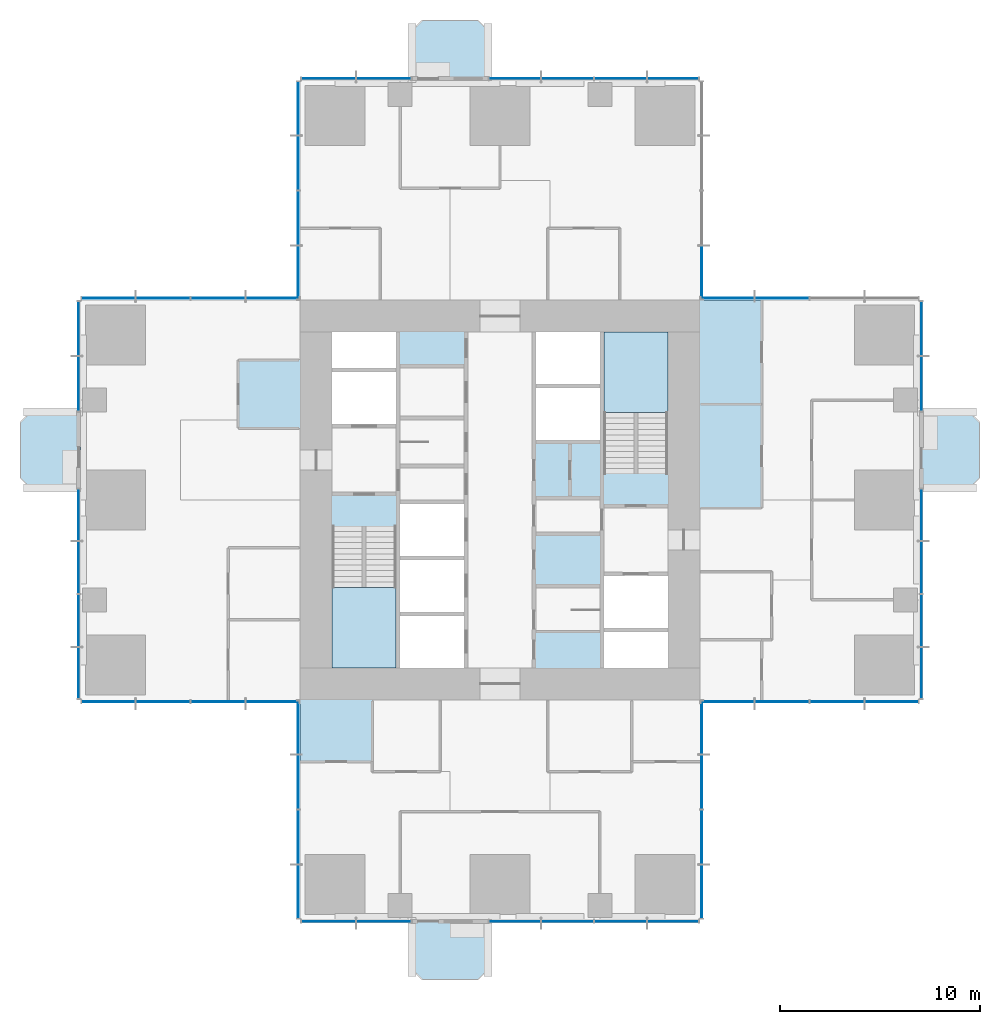
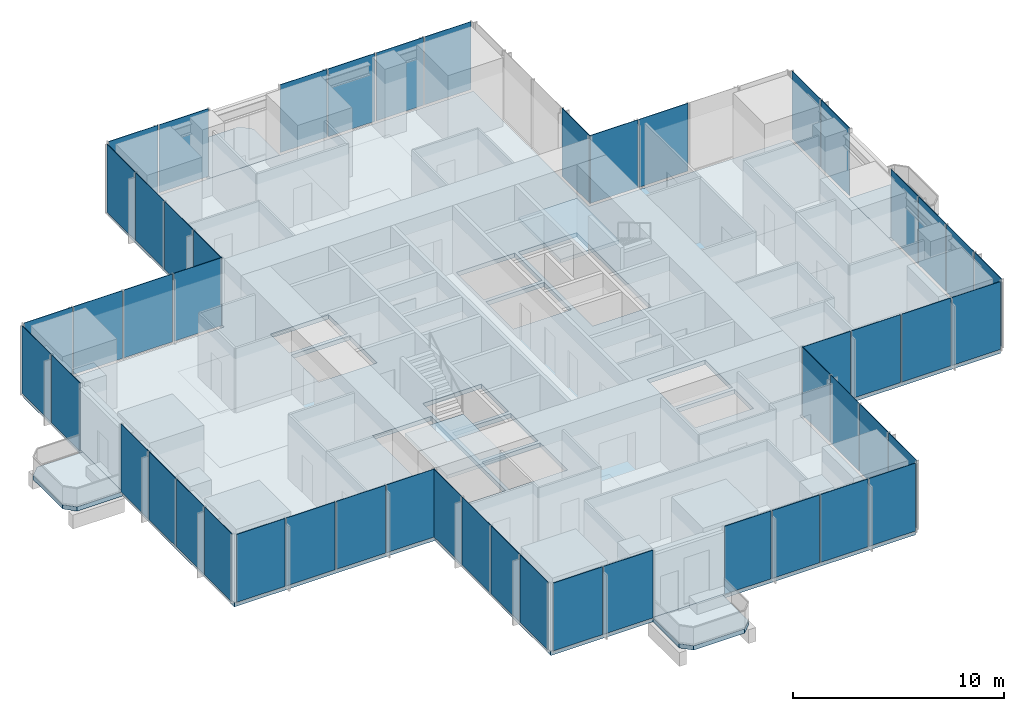
# One storey, part 7 of 13: 51 plates, 7 slabs, 18 elements without a shape of their own.
"""IFC4 building model written with IfcOpenShell, lengths in metres."""

from ifc_helpers import new_model, si_unit, direction, frame, origin, origin_2d, place, context, subcontext, project, spatial, polyline, rectangle, outline, extrude, material, layer, layer_set, type_object, element, aggregate, save


model = new_model("IFC4")

# Units and contexts
model_context = context("Model", 3, precision=1e-05, world=origin(), true_north=direction((0.0, 1.0)))
body_context = subcontext(model_context, "Body", "Model", "MODEL_VIEW")
ifc_project = project(units=[si_unit("LENGTHUNIT", "METRE"), si_unit("AREAUNIT", "SQUARE_METRE"), si_unit("VOLUMEUNIT", "CUBIC_METRE"), si_unit("PLANEANGLEUNIT", "RADIAN"), si_unit("MASSUNIT", "GRAM", prefix="KILO")], contexts=[model_context])

# Site, building, storey
site_placement = place(None, origin())
site = spatial("IfcSite", under=ifc_project, at=site_placement, CompositionType="ELEMENT")
building_placement = place(site_placement, origin())
building = spatial("IfcBuilding", under=site, at=building_placement, Name="Svetlomir Tower", CompositionType="ELEMENT")
storey_placement = place(building_placement, frame((0.0, 0.0, 100.5)))
storey = spatial("IfcBuildingStorey", under=building, at=storey_placement, Name="L23", CompositionType="ELEMENT", Elevation=100.5)

# Slabs
ifc_material_1 = material(Name="Concrete C60/75", Category="concrete")
ifc_layer_1 = layer(ifc_material_1, 0.25)
ifc_layer_set_1 = layer_set([ifc_layer_1], Name="Concrete C60/75")
slab_type_1 = type_object("IfcSlabType", Name="BALCONY SLAB 250", PredefinedType="FLOOR", material=ifc_layer_set_1)
slab_1_placement = place(storey_placement, frame((0.0, 0.0, -0.25)))
element("IfcSlab", 1, at=slab_1_placement, inside=storey, type_object=slab_type_1, Name="L23 S planted balcony", PredefinedType="FLOOR", context=body_context, shape_type="SweptSolid", body=[
    extrude(outline(polyline([(16.60009765625, -2.5), (17.10009765625, -3.0), (19.89990234375, -3.0), (20.39990234375, -2.5), (20.39990234375, 0.0), (16.60009765625, 0.0), (16.60009765625, -2.5)])), origin(), (0.0, 0.0, 1.0), 0.25),
])
slab_2_placement = place(storey_placement, frame((0.0, 0.0, -0.25)))
element("IfcSlab", 2, at=slab_2_placement, inside=storey, type_object=slab_type_1, Name="L23 E planted balcony", PredefinedType="FLOOR", context=body_context, shape_type="SweptSolid", body=[
    extrude(outline(polyline([(42.0, 21.60009765625), (44.5, 21.60009765625), (45.0, 22.10009765625), (45.0, 24.89990234375), (44.5, 25.39990234375), (42.0, 25.39990234375), (42.0, 21.60009765625)])), origin(), (0.0, 0.0, 1.0), 0.25),
])
slab_3_placement = place(storey_placement, frame((0.0, 0.0, -0.25)))
element("IfcSlab", 3, at=slab_3_placement, inside=storey, type_object=slab_type_1, Name="L23 N planted balcony", PredefinedType="FLOOR", context=body_context, shape_type="SweptSolid", body=[
    extrude(outline(polyline([(16.60009765625, 42.0), (20.39990234375, 42.0), (20.39990234375, 44.5), (19.89990234375, 45.0), (17.10009765625, 45.0), (16.60009765625, 44.5), (16.60009765625, 42.0)])), origin(), (0.0, 0.0, 1.0), 0.25),
])
slab_4_placement = place(storey_placement, frame((0.0, 0.0, -0.25)))
element("IfcSlab", 4, at=slab_4_placement, inside=storey, type_object=slab_type_1, Name="L23 W planted balcony", PredefinedType="FLOOR", context=body_context, shape_type="SweptSolid", body=[
    extrude(outline(polyline([(-2.5, 21.60009765625), (0.0, 21.60009765625), (0.0, 25.39990234375), (-2.5, 25.39990234375), (-3.0, 24.89990234375), (-3.0, 22.10009765625), (-2.5, 21.60009765625)])), origin(), (0.0, 0.0, 1.0), 0.25),
])

# Curtain wall, plates
ifc_material_2 = material(Name="Bronze anodised aluminium curtain wall", Category="aluminium")
curtain_wall_type = type_object("IfcCurtainWallType", Name="CURTAIN WALL CW1 TOWER OFFICE", PredefinedType="NOTDEFINED", material=ifc_material_2)
curtain_wall_1_placement = place(storey_placement, origin())
curtain_wall_1 = element("IfcCurtainWall", 5, at=curtain_wall_1_placement, inside=storey, type_object=curtain_wall_type, Name="Curtain wall CW1 L23", PredefinedType="NOTDEFINED")
ifc_material_3 = material(Name="Tinted double glazed unit", Category="glass")
ifc_layer_2 = layer(ifc_material_3, 0.031982421875)
ifc_layer_set_2 = layer_set([ifc_layer_2], Name="Tinted double glazed unit")
plate_type = type_object("IfcPlateType", Name="CW1 GLAZED PANEL 32", PredefinedType="CURTAIN_PANEL", material=ifc_layer_set_2)
plate_1_placement = place(storey_placement, frame((12.416259765625, -0.10009765625, 0.06494140625), z_axis=(0.0, 0.0, 1.0), x_axis=(1.0, 0.0, 0.0)))
plate_1 = element("IfcPlate", 6, at=plate_1_placement, type_object=plate_type, Name="CW1 panel 1.1", PredefinedType="CURTAIN_PANEL", context=body_context, shape_type="SweptSolid", body=[
    extrude(rectangle(XDim=2.702392578125, YDim=0.031982421875, at=origin_2d()), origin(), (0.0, 0.0, 1.0), 3.93505859375),
])
plate_2_placement = place(storey_placement, frame((15.183837890625, -0.10009765625, 0.06494140625), z_axis=(0.0, 0.0, 1.0), x_axis=(1.0, 0.0, 0.0)))
plate_2 = element("IfcPlate", 7, at=plate_2_placement, type_object=plate_type, Name="CW1 panel 2.1", PredefinedType="CURTAIN_PANEL", context=body_context, shape_type="SweptSolid", body=[
    extrude(rectangle(XDim=2.702392578125, YDim=0.031982421875, at=origin_2d()), origin(), (0.0, 0.0, 1.0), 3.93505859375),
])
aggregate(curtain_wall_1, [plate_1, plate_2])

curtain_wall_2_placement = place(storey_placement, origin())
curtain_wall_2 = element("IfcCurtainWall", 8, at=curtain_wall_2_placement, inside=storey, type_object=curtain_wall_type, Name="Curtain wall CW1 L23", PredefinedType="NOTDEFINED")
plate_3_placement = place(storey_placement, frame((21.7412109375, -0.10009765625, 0.06494140625), z_axis=(0.0, 0.0, 1.0), x_axis=(1.0, 0.0, 0.0)))
plate_3 = element("IfcPlate", 9, at=plate_3_placement, type_object=plate_type, Name="CW1 panel 1.1", PredefinedType="CURTAIN_PANEL", context=body_context, shape_type="SweptSolid", body=[
    extrude(rectangle(XDim=2.552490234375, YDim=0.031982421875, at=origin_2d()), origin(), (0.0, 0.0, 1.0), 3.93505859375),
])
plate_4_placement = place(storey_placement, frame((24.375, -0.10009765625, 0.06494140625), z_axis=(0.0, 0.0, 1.0), x_axis=(1.0, 0.0, 0.0)))
plate_4 = element("IfcPlate", 10, at=plate_4_placement, type_object=plate_type, Name="CW1 panel 2.1", PredefinedType="CURTAIN_PANEL", context=body_context, shape_type="SweptSolid", body=[
    extrude(rectangle(XDim=2.5849609375, YDim=0.031982421875, at=origin_2d()), origin(), (0.0, 0.0, 1.0), 3.93505859375),
])
plate_5_placement = place(storey_placement, frame((27.02490234375, -0.10009765625, 0.06494140625), z_axis=(0.0, 0.0, 1.0), x_axis=(1.0, 0.0, 0.0)))
plate_5 = element("IfcPlate", 11, at=plate_5_placement, type_object=plate_type, Name="CW1 panel 3.1", PredefinedType="CURTAIN_PANEL", context=body_context, shape_type="SweptSolid", body=[
    extrude(rectangle(XDim=2.5849609375, YDim=0.031982421875, at=origin_2d()), origin(), (0.0, 0.0, 1.0), 3.93505859375),
])
plate_6_placement = place(storey_placement, frame((29.65869140625, -0.10009765625, 0.06494140625), z_axis=(0.0, 0.0, 1.0), x_axis=(1.0, 0.0, 0.0)))
plate_6 = element("IfcPlate", 12, at=plate_6_placement, type_object=plate_type, Name="CW1 panel 4.1", PredefinedType="CURTAIN_PANEL", context=body_context, shape_type="SweptSolid", body=[
    extrude(rectangle(XDim=2.552490234375, YDim=0.031982421875, at=origin_2d()), origin(), (0.0, 0.0, 1.0), 3.93505859375),
])
aggregate(curtain_wall_2, [plate_3, plate_4, plate_5, plate_6])

curtain_wall_3_placement = place(storey_placement, origin())
curtain_wall_3 = element("IfcCurtainWall", 13, at=curtain_wall_3_placement, inside=storey, type_object=curtain_wall_type, Name="Curtain wall CW1 L23", PredefinedType="NOTDEFINED")
plate_7_placement = place(storey_placement, frame((31.10009765625, 1.391357421875, 0.06494140625), z_axis=(0.0, 0.0, 1.0), x_axis=(0.0, 1.0, 0.0)))
plate_7 = element("IfcPlate", 14, at=plate_7_placement, type_object=plate_type, Name="CW1 panel 1.1", PredefinedType="CURTAIN_PANEL", context=body_context, shape_type="SweptSolid", body=[
    extrude(rectangle(XDim=2.652587890625, YDim=0.031982421875, at=origin_2d()), origin(), (0.0, 0.0, 1.0), 3.93505859375),
])
plate_8_placement = place(storey_placement, frame((31.10009765625, 4.125, 0.06494140625), z_axis=(0.0, 0.0, 1.0), x_axis=(0.0, 1.0, 0.0)))
plate_8 = element("IfcPlate", 15, at=plate_8_placement, type_object=plate_type, Name="CW1 panel 2.1", PredefinedType="CURTAIN_PANEL", context=body_context, shape_type="SweptSolid", body=[
    extrude(rectangle(XDim=2.68505859375, YDim=0.031982421875, at=origin_2d()), origin(), (0.0, 0.0, 1.0), 3.93505859375),
])
plate_9_placement = place(storey_placement, frame((31.10009765625, 6.875, 0.06494140625), z_axis=(0.0, 0.0, 1.0), x_axis=(0.0, 1.0, 0.0)))
plate_9 = element("IfcPlate", 16, at=plate_9_placement, type_object=plate_type, Name="CW1 panel 3.1", PredefinedType="CURTAIN_PANEL", context=body_context, shape_type="SweptSolid", body=[
    extrude(rectangle(XDim=2.68505859375, YDim=0.031982421875, at=origin_2d()), origin(), (0.0, 0.0, 1.0), 3.93505859375),
])
plate_10_placement = place(storey_placement, frame((31.10009765625, 9.608642578125, 0.06494140625), z_axis=(0.0, 0.0, 1.0), x_axis=(0.0, 1.0, 0.0)))
plate_10 = element("IfcPlate", 17, at=plate_10_placement, type_object=plate_type, Name="CW1 panel 4.1", PredefinedType="CURTAIN_PANEL", context=body_context, shape_type="SweptSolid", body=[
    extrude(rectangle(XDim=2.652587890625, YDim=0.031982421875, at=origin_2d()), origin(), (0.0, 0.0, 1.0), 3.93505859375),
])
aggregate(curtain_wall_3, [plate_7, plate_8, plate_9, plate_10])

curtain_wall_4_placement = place(storey_placement, origin())
curtain_wall_4 = element("IfcCurtainWall", 18, at=curtain_wall_4_placement, inside=storey, type_object=curtain_wall_type, Name="Curtain wall CW1 L23", PredefinedType="NOTDEFINED")
plate_11_placement = place(storey_placement, frame((32.391357421875, 10.89990234375, 0.06494140625), z_axis=(0.0, 0.0, 1.0), x_axis=(1.0, 0.0, 0.0)))
plate_11 = element("IfcPlate", 19, at=plate_11_placement, type_object=plate_type, Name="CW1 panel 1.1", PredefinedType="CURTAIN_PANEL", context=body_context, shape_type="SweptSolid", body=[
    extrude(rectangle(XDim=2.652587890625, YDim=0.031982421875, at=origin_2d()), origin(), (0.0, 0.0, 1.0), 3.93505859375),
])
plate_12_placement = place(storey_placement, frame((35.125, 10.89990234375, 0.06494140625), z_axis=(0.0, 0.0, 1.0), x_axis=(1.0, 0.0, 0.0)))
plate_12 = element("IfcPlate", 20, at=plate_12_placement, type_object=plate_type, Name="CW1 panel 2.1", PredefinedType="CURTAIN_PANEL", context=body_context, shape_type="SweptSolid", body=[
    extrude(rectangle(XDim=2.68505859375, YDim=0.031982421875, at=origin_2d()), origin(), (0.0, 0.0, 1.0), 3.93505859375),
])
plate_13_placement = place(storey_placement, frame((37.875, 10.89990234375, 0.06494140625), z_axis=(0.0, 0.0, 1.0), x_axis=(1.0, 0.0, 0.0)))
plate_13 = element("IfcPlate", 21, at=plate_13_placement, type_object=plate_type, Name="CW1 panel 3.1", PredefinedType="CURTAIN_PANEL", context=body_context, shape_type="SweptSolid", body=[
    extrude(rectangle(XDim=2.68505859375, YDim=0.031982421875, at=origin_2d()), origin(), (0.0, 0.0, 1.0), 3.93505859375),
])
plate_14_placement = place(storey_placement, frame((40.608642578125, 10.89990234375, 0.06494140625), z_axis=(0.0, 0.0, 1.0), x_axis=(1.0, 0.0, 0.0)))
plate_14 = element("IfcPlate", 22, at=plate_14_placement, type_object=plate_type, Name="CW1 panel 4.1", PredefinedType="CURTAIN_PANEL", context=body_context, shape_type="SweptSolid", body=[
    extrude(rectangle(XDim=2.652587890625, YDim=0.031982421875, at=origin_2d()), origin(), (0.0, 0.0, 1.0), 3.93505859375),
])
aggregate(curtain_wall_4, [plate_11, plate_12, plate_13, plate_14])

curtain_wall_5_placement = place(storey_placement, origin())
curtain_wall_5 = element("IfcCurtainWall", 23, at=curtain_wall_5_placement, inside=storey, type_object=curtain_wall_type, Name="Curtain wall CW1 L23", PredefinedType="NOTDEFINED")
plate_15_placement = place(storey_placement, frame((42.10009765625, 12.34130859375, 0.06494140625), z_axis=(0.0, 0.0, 1.0), x_axis=(0.0, 1.0, 0.0)))
plate_15 = element("IfcPlate", 24, at=plate_15_placement, type_object=plate_type, Name="CW1 panel 1.1", PredefinedType="CURTAIN_PANEL", context=body_context, shape_type="SweptSolid", body=[
    extrude(rectangle(XDim=2.552490234375, YDim=0.031982421875, at=origin_2d()), origin(), (0.0, 0.0, 1.0), 3.93505859375),
])
plate_16_placement = place(storey_placement, frame((42.10009765625, 14.97509765625, 0.06494140625), z_axis=(0.0, 0.0, 1.0), x_axis=(0.0, 1.0, 0.0)))
plate_16 = element("IfcPlate", 25, at=plate_16_placement, type_object=plate_type, Name="CW1 panel 2.1", PredefinedType="CURTAIN_PANEL", context=body_context, shape_type="SweptSolid", body=[
    extrude(rectangle(XDim=2.5849609375, YDim=0.031982421875, at=origin_2d()), origin(), (0.0, 0.0, 1.0), 3.93505859375),
])
plate_17_placement = place(storey_placement, frame((42.10009765625, 17.625, 0.06494140625), z_axis=(0.0, 0.0, 1.0), x_axis=(0.0, 1.0, 0.0)))
plate_17 = element("IfcPlate", 26, at=plate_17_placement, type_object=plate_type, Name="CW1 panel 3.1", PredefinedType="CURTAIN_PANEL", context=body_context, shape_type="SweptSolid", body=[
    extrude(rectangle(XDim=2.5849609375, YDim=0.031982421875, at=origin_2d()), origin(), (0.0, 0.0, 1.0), 3.93505859375),
])
plate_18_placement = place(storey_placement, frame((42.10009765625, 20.2587890625, 0.06494140625), z_axis=(0.0, 0.0, 1.0), x_axis=(0.0, 1.0, 0.0)))
plate_18 = element("IfcPlate", 27, at=plate_18_placement, type_object=plate_type, Name="CW1 panel 4.1", PredefinedType="CURTAIN_PANEL", context=body_context, shape_type="SweptSolid", body=[
    extrude(rectangle(XDim=2.552490234375, YDim=0.031982421875, at=origin_2d()), origin(), (0.0, 0.0, 1.0), 3.93505859375),
])
aggregate(curtain_wall_5, [plate_15, plate_16, plate_17, plate_18])

curtain_wall_6_placement = place(storey_placement, origin())
curtain_wall_6 = element("IfcCurtainWall", 28, at=curtain_wall_6_placement, inside=storey, type_object=curtain_wall_type, Name="Curtain wall CW1 L23", PredefinedType="NOTDEFINED")
plate_19_placement = place(storey_placement, frame((42.10009765625, 26.816162109375, 0.06494140625), z_axis=(0.0, 0.0, 1.0), x_axis=(0.0, 1.0, 0.0)))
plate_19 = element("IfcPlate", 29, at=plate_19_placement, type_object=plate_type, Name="CW1 panel 1.1", PredefinedType="CURTAIN_PANEL", context=body_context, shape_type="SweptSolid", body=[
    extrude(rectangle(XDim=2.702392578125, YDim=0.031982421875, at=origin_2d()), origin(), (0.0, 0.0, 1.0), 3.93505859375),
])
plate_20_placement = place(storey_placement, frame((42.10009765625, 29.583740234375, 0.06494140625), z_axis=(0.0, 0.0, 1.0), x_axis=(0.0, 1.0, 0.0)))
plate_20 = element("IfcPlate", 30, at=plate_20_placement, type_object=plate_type, Name="CW1 panel 2.1", PredefinedType="CURTAIN_PANEL", context=body_context, shape_type="SweptSolid", body=[
    extrude(rectangle(XDim=2.702392578125, YDim=0.031982421875, at=origin_2d()), origin(), (0.0, 0.0, 1.0), 3.93505859375),
])
aggregate(curtain_wall_6, [plate_19, plate_20])

curtain_wall_7_placement = place(storey_placement, origin())
curtain_wall_7 = element("IfcCurtainWall", 31, at=curtain_wall_7_placement, inside=storey, type_object=curtain_wall_type, Name="Curtain wall CW1 L23", PredefinedType="NOTDEFINED")
plate_21_placement = place(storey_placement, frame((35.125, 31.10009765625, 0.06494140625), z_axis=(0.0, 0.0, 1.0), x_axis=(-1.0, 0.0, 0.0)))
plate_21 = element("IfcPlate", 32, at=plate_21_placement, type_object=plate_type, Name="CW1 panel 3.1", PredefinedType="CURTAIN_PANEL", context=body_context, shape_type="SweptSolid", body=[
    extrude(rectangle(XDim=2.68505859375, YDim=0.031982421875, at=origin_2d()), origin(), (0.0, 0.0, 1.0), 3.93505859375),
])
plate_22_placement = place(storey_placement, frame((32.391357421875, 31.10009765625, 0.06494140625), z_axis=(0.0, 0.0, 1.0), x_axis=(-1.0, 0.0, 0.0)))
plate_22 = element("IfcPlate", 33, at=plate_22_placement, type_object=plate_type, Name="CW1 panel 4.1", PredefinedType="CURTAIN_PANEL", context=body_context, shape_type="SweptSolid", body=[
    extrude(rectangle(XDim=2.652587890625, YDim=0.031982421875, at=origin_2d()), origin(), (0.0, 0.0, 1.0), 3.93505859375),
])
aggregate(curtain_wall_7, [plate_21, plate_22])

# Curtain wall, plate
curtain_wall_8_placement = place(storey_placement, origin())
curtain_wall_8 = element("IfcCurtainWall", 34, at=curtain_wall_8_placement, inside=storey, type_object=curtain_wall_type, Name="Curtain wall CW1 L23", PredefinedType="NOTDEFINED")
plate_23_placement = place(storey_placement, frame((31.10009765625, 32.391357421875, 0.06494140625), z_axis=(0.0, 0.0, 1.0), x_axis=(0.0, 1.0, 0.0)))
plate_23 = element("IfcPlate", 35, at=plate_23_placement, type_object=plate_type, Name="CW1 panel 1.1", PredefinedType="CURTAIN_PANEL", context=body_context, shape_type="SweptSolid", body=[
    extrude(rectangle(XDim=2.652587890625, YDim=0.031982421875, at=origin_2d()), origin(), (0.0, 0.0, 1.0), 3.93505859375),
])
aggregate(curtain_wall_8, [plate_23])

# Curtain wall, plates
curtain_wall_9_placement = place(storey_placement, origin())
curtain_wall_9 = element("IfcCurtainWall", 36, at=curtain_wall_9_placement, inside=storey, type_object=curtain_wall_type, Name="Curtain wall CW1 L23", PredefinedType="NOTDEFINED")
plate_24_placement = place(storey_placement, frame((29.65869140625, 42.10009765625, 0.06494140625), z_axis=(0.0, 0.0, 1.0), x_axis=(-1.0, 0.0, 0.0)))
plate_24 = element("IfcPlate", 37, at=plate_24_placement, type_object=plate_type, Name="CW1 panel 1.1", PredefinedType="CURTAIN_PANEL", context=body_context, shape_type="SweptSolid", body=[
    extrude(rectangle(XDim=2.552490234375, YDim=0.031982421875, at=origin_2d()), origin(), (0.0, 0.0, 1.0), 3.93505859375),
])
plate_25_placement = place(storey_placement, frame((27.02490234375, 42.10009765625, 0.06494140625), z_axis=(0.0, 0.0, 1.0), x_axis=(-1.0, 0.0, 0.0)))
plate_25 = element("IfcPlate", 38, at=plate_25_placement, type_object=plate_type, Name="CW1 panel 2.1", PredefinedType="CURTAIN_PANEL", context=body_context, shape_type="SweptSolid", body=[
    extrude(rectangle(XDim=2.5849609375, YDim=0.031982421875, at=origin_2d()), origin(), (0.0, 0.0, 1.0), 3.93505859375),
])
plate_26_placement = place(storey_placement, frame((24.375, 42.10009765625, 0.06494140625), z_axis=(0.0, 0.0, 1.0), x_axis=(-1.0, 0.0, 0.0)))
plate_26 = element("IfcPlate", 39, at=plate_26_placement, type_object=plate_type, Name="CW1 panel 3.1", PredefinedType="CURTAIN_PANEL", context=body_context, shape_type="SweptSolid", body=[
    extrude(rectangle(XDim=2.5849609375, YDim=0.031982421875, at=origin_2d()), origin(), (0.0, 0.0, 1.0), 3.93505859375),
])
plate_27_placement = place(storey_placement, frame((21.7412109375, 42.10009765625, 0.06494140625), z_axis=(0.0, 0.0, 1.0), x_axis=(-1.0, 0.0, 0.0)))
plate_27 = element("IfcPlate", 40, at=plate_27_placement, type_object=plate_type, Name="CW1 panel 4.1", PredefinedType="CURTAIN_PANEL", context=body_context, shape_type="SweptSolid", body=[
    extrude(rectangle(XDim=2.552490234375, YDim=0.031982421875, at=origin_2d()), origin(), (0.0, 0.0, 1.0), 3.93505859375),
])
aggregate(curtain_wall_9, [plate_24, plate_25, plate_26, plate_27])

curtain_wall_10_placement = place(storey_placement, origin())
curtain_wall_10 = element("IfcCurtainWall", 41, at=curtain_wall_10_placement, inside=storey, type_object=curtain_wall_type, Name="Curtain wall CW1 L23", PredefinedType="NOTDEFINED")
plate_28_placement = place(storey_placement, frame((15.183837890625, 42.10009765625, 0.06494140625), z_axis=(0.0, 0.0, 1.0), x_axis=(-1.0, 0.0, 0.0)))
plate_28 = element("IfcPlate", 42, at=plate_28_placement, type_object=plate_type, Name="CW1 panel 1.1", PredefinedType="CURTAIN_PANEL", context=body_context, shape_type="SweptSolid", body=[
    extrude(rectangle(XDim=2.702392578125, YDim=0.031982421875, at=origin_2d()), origin(), (0.0, 0.0, 1.0), 3.93505859375),
])
plate_29_placement = place(storey_placement, frame((12.416259765625, 42.10009765625, 0.06494140625), z_axis=(0.0, 0.0, 1.0), x_axis=(-1.0, 0.0, 0.0)))
plate_29 = element("IfcPlate", 43, at=plate_29_placement, type_object=plate_type, Name="CW1 panel 2.1", PredefinedType="CURTAIN_PANEL", context=body_context, shape_type="SweptSolid", body=[
    extrude(rectangle(XDim=2.702392578125, YDim=0.031982421875, at=origin_2d()), origin(), (0.0, 0.0, 1.0), 3.93505859375),
])
aggregate(curtain_wall_10, [plate_28, plate_29])

curtain_wall_11_placement = place(storey_placement, origin())
curtain_wall_11 = element("IfcCurtainWall", 44, at=curtain_wall_11_placement, inside=storey, type_object=curtain_wall_type, Name="Curtain wall CW1 L23", PredefinedType="NOTDEFINED")
plate_30_placement = place(storey_placement, frame((10.89990234375, 40.608642578125, 0.06494140625), z_axis=(0.0, 0.0, 1.0), x_axis=(0.0, -1.0, 0.0)))
plate_30 = element("IfcPlate", 45, at=plate_30_placement, type_object=plate_type, Name="CW1 panel 1.1", PredefinedType="CURTAIN_PANEL", context=body_context, shape_type="SweptSolid", body=[
    extrude(rectangle(XDim=2.652587890625, YDim=0.031982421875, at=origin_2d()), origin(), (0.0, 0.0, 1.0), 3.93505859375),
])
plate_31_placement = place(storey_placement, frame((10.89990234375, 37.875, 0.06494140625), z_axis=(0.0, 0.0, 1.0), x_axis=(0.0, -1.0, 0.0)))
plate_31 = element("IfcPlate", 46, at=plate_31_placement, type_object=plate_type, Name="CW1 panel 2.1", PredefinedType="CURTAIN_PANEL", context=body_context, shape_type="SweptSolid", body=[
    extrude(rectangle(XDim=2.68505859375, YDim=0.031982421875, at=origin_2d()), origin(), (0.0, 0.0, 1.0), 3.93505859375),
])
plate_32_placement = place(storey_placement, frame((10.89990234375, 35.125, 0.06494140625), z_axis=(0.0, 0.0, 1.0), x_axis=(0.0, -1.0, 0.0)))
plate_32 = element("IfcPlate", 47, at=plate_32_placement, type_object=plate_type, Name="CW1 panel 3.1", PredefinedType="CURTAIN_PANEL", context=body_context, shape_type="SweptSolid", body=[
    extrude(rectangle(XDim=2.68505859375, YDim=0.031982421875, at=origin_2d()), origin(), (0.0, 0.0, 1.0), 3.93505859375),
])
plate_33_placement = place(storey_placement, frame((10.89990234375, 32.391357421875, 0.06494140625), z_axis=(0.0, 0.0, 1.0), x_axis=(0.0, -1.0, 0.0)))
plate_33 = element("IfcPlate", 48, at=plate_33_placement, type_object=plate_type, Name="CW1 panel 4.1", PredefinedType="CURTAIN_PANEL", context=body_context, shape_type="SweptSolid", body=[
    extrude(rectangle(XDim=2.652587890625, YDim=0.031982421875, at=origin_2d()), origin(), (0.0, 0.0, 1.0), 3.93505859375),
])
aggregate(curtain_wall_11, [plate_30, plate_31, plate_32, plate_33])

curtain_wall_12_placement = place(storey_placement, origin())
curtain_wall_12 = element("IfcCurtainWall", 49, at=curtain_wall_12_placement, inside=storey, type_object=curtain_wall_type, Name="Curtain wall CW1 L23", PredefinedType="NOTDEFINED")
plate_34_placement = place(storey_placement, frame((9.608642578125, 31.10009765625, 0.06494140625), z_axis=(0.0, 0.0, 1.0), x_axis=(-1.0, 0.0, 0.0)))
plate_34 = element("IfcPlate", 50, at=plate_34_placement, type_object=plate_type, Name="CW1 panel 1.1", PredefinedType="CURTAIN_PANEL", context=body_context, shape_type="SweptSolid", body=[
    extrude(rectangle(XDim=2.652587890625, YDim=0.031982421875, at=origin_2d()), origin(), (0.0, 0.0, 1.0), 3.93505859375),
])
plate_35_placement = place(storey_placement, frame((6.875, 31.10009765625, 0.06494140625), z_axis=(0.0, 0.0, 1.0), x_axis=(-1.0, 0.0, 0.0)))
plate_35 = element("IfcPlate", 51, at=plate_35_placement, type_object=plate_type, Name="CW1 panel 2.1", PredefinedType="CURTAIN_PANEL", context=body_context, shape_type="SweptSolid", body=[
    extrude(rectangle(XDim=2.68505859375, YDim=0.031982421875, at=origin_2d()), origin(), (0.0, 0.0, 1.0), 3.93505859375),
])
plate_36_placement = place(storey_placement, frame((4.125, 31.10009765625, 0.06494140625), z_axis=(0.0, 0.0, 1.0), x_axis=(-1.0, 0.0, 0.0)))
plate_36 = element("IfcPlate", 52, at=plate_36_placement, type_object=plate_type, Name="CW1 panel 3.1", PredefinedType="CURTAIN_PANEL", context=body_context, shape_type="SweptSolid", body=[
    extrude(rectangle(XDim=2.68505859375, YDim=0.031982421875, at=origin_2d()), origin(), (0.0, 0.0, 1.0), 3.93505859375),
])
plate_37_placement = place(storey_placement, frame((1.391357421875, 31.10009765625, 0.06494140625), z_axis=(0.0, 0.0, 1.0), x_axis=(-1.0, 0.0, 0.0)))
plate_37 = element("IfcPlate", 53, at=plate_37_placement, type_object=plate_type, Name="CW1 panel 4.1", PredefinedType="CURTAIN_PANEL", context=body_context, shape_type="SweptSolid", body=[
    extrude(rectangle(XDim=2.652587890625, YDim=0.031982421875, at=origin_2d()), origin(), (0.0, 0.0, 1.0), 3.93505859375),
])
aggregate(curtain_wall_12, [plate_34, plate_35, plate_36, plate_37])

curtain_wall_13_placement = place(storey_placement, origin())
curtain_wall_13 = element("IfcCurtainWall", 54, at=curtain_wall_13_placement, inside=storey, type_object=curtain_wall_type, Name="Curtain wall CW1 L23", PredefinedType="NOTDEFINED")
plate_38_placement = place(storey_placement, frame((-0.10009765625, 29.583740234375, 0.06494140625), z_axis=(0.0, 0.0, 1.0), x_axis=(0.0, -1.0, 0.0)))
plate_38 = element("IfcPlate", 55, at=plate_38_placement, type_object=plate_type, Name="CW1 panel 1.1", PredefinedType="CURTAIN_PANEL", context=body_context, shape_type="SweptSolid", body=[
    extrude(rectangle(XDim=2.702392578125, YDim=0.031982421875, at=origin_2d()), origin(), (0.0, 0.0, 1.0), 3.93505859375),
])
plate_39_placement = place(storey_placement, frame((-0.10009765625, 26.816162109375, 0.06494140625), z_axis=(0.0, 0.0, 1.0), x_axis=(0.0, -1.0, 0.0)))
plate_39 = element("IfcPlate", 56, at=plate_39_placement, type_object=plate_type, Name="CW1 panel 2.1", PredefinedType="CURTAIN_PANEL", context=body_context, shape_type="SweptSolid", body=[
    extrude(rectangle(XDim=2.702392578125, YDim=0.031982421875, at=origin_2d()), origin(), (0.0, 0.0, 1.0), 3.93505859375),
])
aggregate(curtain_wall_13, [plate_38, plate_39])

curtain_wall_14_placement = place(storey_placement, origin())
curtain_wall_14 = element("IfcCurtainWall", 57, at=curtain_wall_14_placement, inside=storey, type_object=curtain_wall_type, Name="Curtain wall CW1 L23", PredefinedType="NOTDEFINED")
plate_40_placement = place(storey_placement, frame((-0.10009765625, 20.2587890625, 0.06494140625), z_axis=(0.0, 0.0, 1.0), x_axis=(0.0, -1.0, 0.0)))
plate_40 = element("IfcPlate", 58, at=plate_40_placement, type_object=plate_type, Name="CW1 panel 1.1", PredefinedType="CURTAIN_PANEL", context=body_context, shape_type="SweptSolid", body=[
    extrude(rectangle(XDim=2.552490234375, YDim=0.031982421875, at=origin_2d()), origin(), (0.0, 0.0, 1.0), 3.93505859375),
])
plate_41_placement = place(storey_placement, frame((-0.10009765625, 17.625, 0.06494140625), z_axis=(0.0, 0.0, 1.0), x_axis=(0.0, -1.0, 0.0)))
plate_41 = element("IfcPlate", 59, at=plate_41_placement, type_object=plate_type, Name="CW1 panel 2.1", PredefinedType="CURTAIN_PANEL", context=body_context, shape_type="SweptSolid", body=[
    extrude(rectangle(XDim=2.5849609375, YDim=0.031982421875, at=origin_2d()), origin(), (0.0, 0.0, 1.0), 3.93505859375),
])
plate_42_placement = place(storey_placement, frame((-0.10009765625, 14.97509765625, 0.06494140625), z_axis=(0.0, 0.0, 1.0), x_axis=(0.0, -1.0, 0.0)))
plate_42 = element("IfcPlate", 60, at=plate_42_placement, type_object=plate_type, Name="CW1 panel 3.1", PredefinedType="CURTAIN_PANEL", context=body_context, shape_type="SweptSolid", body=[
    extrude(rectangle(XDim=2.5849609375, YDim=0.031982421875, at=origin_2d()), origin(), (0.0, 0.0, 1.0), 3.93505859375),
])
plate_43_placement = place(storey_placement, frame((-0.10009765625, 12.34130859375, 0.06494140625), z_axis=(0.0, 0.0, 1.0), x_axis=(0.0, -1.0, 0.0)))
plate_43 = element("IfcPlate", 61, at=plate_43_placement, type_object=plate_type, Name="CW1 panel 4.1", PredefinedType="CURTAIN_PANEL", context=body_context, shape_type="SweptSolid", body=[
    extrude(rectangle(XDim=2.552490234375, YDim=0.031982421875, at=origin_2d()), origin(), (0.0, 0.0, 1.0), 3.93505859375),
])
aggregate(curtain_wall_14, [plate_40, plate_41, plate_42, plate_43])

curtain_wall_15_placement = place(storey_placement, origin())
curtain_wall_15 = element("IfcCurtainWall", 62, at=curtain_wall_15_placement, inside=storey, type_object=curtain_wall_type, Name="Curtain wall CW1 L23", PredefinedType="NOTDEFINED")
plate_44_placement = place(storey_placement, frame((1.391357421875, 10.89990234375, 0.06494140625), z_axis=(0.0, 0.0, 1.0), x_axis=(1.0, 0.0, 0.0)))
plate_44 = element("IfcPlate", 63, at=plate_44_placement, type_object=plate_type, Name="CW1 panel 1.1", PredefinedType="CURTAIN_PANEL", context=body_context, shape_type="SweptSolid", body=[
    extrude(rectangle(XDim=2.652587890625, YDim=0.031982421875, at=origin_2d()), origin(), (0.0, 0.0, 1.0), 3.93505859375),
])
plate_45_placement = place(storey_placement, frame((4.125, 10.89990234375, 0.06494140625), z_axis=(0.0, 0.0, 1.0), x_axis=(1.0, 0.0, 0.0)))
plate_45 = element("IfcPlate", 64, at=plate_45_placement, type_object=plate_type, Name="CW1 panel 2.1", PredefinedType="CURTAIN_PANEL", context=body_context, shape_type="SweptSolid", body=[
    extrude(rectangle(XDim=2.68505859375, YDim=0.031982421875, at=origin_2d()), origin(), (0.0, 0.0, 1.0), 3.93505859375),
])
plate_46_placement = place(storey_placement, frame((6.875, 10.89990234375, 0.06494140625), z_axis=(0.0, 0.0, 1.0), x_axis=(1.0, 0.0, 0.0)))
plate_46 = element("IfcPlate", 65, at=plate_46_placement, type_object=plate_type, Name="CW1 panel 3.1", PredefinedType="CURTAIN_PANEL", context=body_context, shape_type="SweptSolid", body=[
    extrude(rectangle(XDim=2.68505859375, YDim=0.031982421875, at=origin_2d()), origin(), (0.0, 0.0, 1.0), 3.93505859375),
])
plate_47_placement = place(storey_placement, frame((9.608642578125, 10.89990234375, 0.06494140625), z_axis=(0.0, 0.0, 1.0), x_axis=(1.0, 0.0, 0.0)))
plate_47 = element("IfcPlate", 66, at=plate_47_placement, type_object=plate_type, Name="CW1 panel 4.1", PredefinedType="CURTAIN_PANEL", context=body_context, shape_type="SweptSolid", body=[
    extrude(rectangle(XDim=2.652587890625, YDim=0.031982421875, at=origin_2d()), origin(), (0.0, 0.0, 1.0), 3.93505859375),
])
aggregate(curtain_wall_15, [plate_44, plate_45, plate_46, plate_47])

curtain_wall_16_placement = place(storey_placement, origin())
curtain_wall_16 = element("IfcCurtainWall", 67, at=curtain_wall_16_placement, inside=storey, type_object=curtain_wall_type, Name="Curtain wall CW1 L23", PredefinedType="NOTDEFINED")
plate_48_placement = place(storey_placement, frame((10.89990234375, 9.608642578125, 0.06494140625), z_axis=(0.0, 0.0, 1.0), x_axis=(0.0, -1.0, 0.0)))
plate_48 = element("IfcPlate", 68, at=plate_48_placement, type_object=plate_type, Name="CW1 panel 1.1", PredefinedType="CURTAIN_PANEL", context=body_context, shape_type="SweptSolid", body=[
    extrude(rectangle(XDim=2.652587890625, YDim=0.031982421875, at=origin_2d()), origin(), (0.0, 0.0, 1.0), 3.93505859375),
])
plate_49_placement = place(storey_placement, frame((10.89990234375, 6.875, 0.06494140625), z_axis=(0.0, 0.0, 1.0), x_axis=(0.0, -1.0, 0.0)))
plate_49 = element("IfcPlate", 69, at=plate_49_placement, type_object=plate_type, Name="CW1 panel 2.1", PredefinedType="CURTAIN_PANEL", context=body_context, shape_type="SweptSolid", body=[
    extrude(rectangle(XDim=2.68505859375, YDim=0.031982421875, at=origin_2d()), origin(), (0.0, 0.0, 1.0), 3.93505859375),
])
plate_50_placement = place(storey_placement, frame((10.89990234375, 4.125, 0.06494140625), z_axis=(0.0, 0.0, 1.0), x_axis=(0.0, -1.0, 0.0)))
plate_50 = element("IfcPlate", 70, at=plate_50_placement, type_object=plate_type, Name="CW1 panel 3.1", PredefinedType="CURTAIN_PANEL", context=body_context, shape_type="SweptSolid", body=[
    extrude(rectangle(XDim=2.68505859375, YDim=0.031982421875, at=origin_2d()), origin(), (0.0, 0.0, 1.0), 3.93505859375),
])
plate_51_placement = place(storey_placement, frame((10.89990234375, 1.391357421875, 0.06494140625), z_axis=(0.0, 0.0, 1.0), x_axis=(0.0, -1.0, 0.0)))
plate_51 = element("IfcPlate", 71, at=plate_51_placement, type_object=plate_type, Name="CW1 panel 4.1", PredefinedType="CURTAIN_PANEL", context=body_context, shape_type="SweptSolid", body=[
    extrude(rectangle(XDim=2.652587890625, YDim=0.031982421875, at=origin_2d()), origin(), (0.0, 0.0, 1.0), 3.93505859375),
])
aggregate(curtain_wall_16, [plate_48, plate_49, plate_50, plate_51])

# Slab
ifc_material_4 = material(Name="Concrete C60/75", Category="concrete")
ifc_layer_3 = layer(ifc_material_4, 0.25)
ifc_layer_set_3 = layer_set([ifc_layer_3], Name="Concrete C60/75")
slab_type_2 = type_object("IfcSlabType", Name="FLOOR SLAB 250", PredefinedType="FLOOR", material=ifc_layer_set_3)
slab_5_placement = place(storey_placement, frame((0.0, 0.0, -0.25)))
element("IfcSlab", 72, at=slab_5_placement, inside=storey, type_object=slab_type_2, Name="L23 floor slab", PredefinedType="FLOOR", context=body_context, shape_type="SweptSolid", body=[
    extrude(outline(polyline([(11.0, 0.0), (31.0, 0.0), (31.0, 11.0), (42.0, 11.0), (42.0, 31.0), (31.0, 31.0), (31.0, 42.0), (11.0, 42.0), (11.0, 31.0), (0.0, 31.0), (0.0, 11.0), (11.0, 11.0), (11.0, 0.0)]), holes=[polyline([(12.60009765625, 24.800048828125), (15.800048828125, 24.800048828125), (15.800048828125, 27.39990234375), (12.60009765625, 27.39990234375), (12.60009765625, 24.800048828125)]), polyline([(26.199951171875, 14.60009765625), (29.39990234375, 14.60009765625), (29.39990234375, 17.199951171875), (26.199951171875, 17.199951171875), (26.199951171875, 14.60009765625)]), polyline([(16.0, 12.60009765625), (19.199951171875, 12.60009765625), (19.199951171875, 15.199951171875), (16.0, 15.199951171875), (16.0, 12.60009765625)]), polyline([(16.0, 15.39990234375), (19.199951171875, 15.39990234375), (19.199951171875, 18.0), (16.0, 18.0), (16.0, 15.39990234375)]), polyline([(16.0, 18.199951171875), (19.199951171875, 18.199951171875), (19.199951171875, 20.800048828125), (16.0, 20.800048828125), (16.0, 18.199951171875)]), polyline([(22.800048828125, 24.0), (26.0, 24.0), (26.0, 26.60009765625), (22.800048828125, 26.60009765625), (22.800048828125, 24.0)]), polyline([(22.800048828125, 26.800048828125), (26.0, 26.800048828125), (26.0, 29.39990234375), (22.800048828125, 29.39990234375), (22.800048828125, 26.800048828125)]), polyline([(12.60009765625, 27.60009765625), (15.800048828125, 27.60009765625), (15.800048828125, 29.39990234375), (12.60009765625, 29.39990234375), (12.60009765625, 27.60009765625)]), polyline([(26.199951171875, 12.60009765625), (29.39990234375, 12.60009765625), (29.39990234375, 14.39990234375), (26.199951171875, 14.39990234375), (26.199951171875, 12.60009765625)]), polyline([(12.60009765625, 12.60009765625), (15.800048828125, 12.60009765625), (15.800048828125, 19.679931640625), (12.60009765625, 19.679931640625), (12.60009765625, 12.60009765625)]), polyline([(26.199951171875, 22.320068359375), (29.39990234375, 22.320068359375), (29.39990234375, 29.39990234375), (26.199951171875, 29.39990234375), (26.199951171875, 22.320068359375)])]), origin(), (0.0, 0.0, 1.0), 0.25),
])

# Stair, slab
ifc_material_5 = material(Name="Concrete C60/75", Category="concrete")
stair_type = type_object("IfcStairType", Name="EXIT STAIR 3200 RISE 4000", PredefinedType="HALF_TURN_STAIR", material=ifc_material_5)
stair_1_placement = place(storey_placement, origin())
stair_1 = element("IfcStair", 73, at=stair_1_placement, inside=storey, type_object=stair_type, Name="Stair S1 L23 to L24", PredefinedType="HALF_TURN_STAIR")
ifc_material_6 = material(Name="Concrete C60/75", Category="concrete")
ifc_layer_4 = layer(ifc_material_6, 0.199951171875)
ifc_layer_set_4 = layer_set([ifc_layer_4], Name="Concrete C60/75")
slab_type_3 = type_object("IfcSlabType", Name="STAIR LANDING 200", PredefinedType="LANDING", material=ifc_layer_set_4)
slab_6_placement = place(storey_placement, frame((0.0, 0.0, 1.800048828125)))
slab_6 = element("IfcSlab", 74, at=slab_6_placement, type_object=slab_type_3, Name="S1 landing 1", PredefinedType="LANDING", context=body_context, shape_type="SweptSolid", body=[
    extrude(outline(polyline([(12.60009765625, 12.60009765625), (15.800048828125, 12.60009765625), (15.800048828125, 16.6201171875), (12.60009765625, 16.6201171875), (12.60009765625, 12.60009765625)])), origin(), (0.0, 0.0, 1.0), 0.199951171875),
])
aggregate(stair_1, [slab_6])

stair_2_placement = place(storey_placement, origin())
stair_2 = element("IfcStair", 75, at=stair_2_placement, inside=storey, type_object=stair_type, Name="Stair S2 L23 to L24", PredefinedType="HALF_TURN_STAIR")
slab_7_placement = place(storey_placement, frame((0.0, 0.0, 1.800048828125)))
slab_7 = element("IfcSlab", 76, at=slab_7_placement, type_object=slab_type_3, Name="S2 landing 1", PredefinedType="LANDING", context=body_context, shape_type="SweptSolid", body=[
    extrude(outline(polyline([(26.199951171875, 25.3798828125), (29.39990234375, 25.3798828125), (29.39990234375, 29.39990234375), (26.199951171875, 29.39990234375), (26.199951171875, 25.3798828125)])), origin(), (0.0, 0.0, 1.0), 0.199951171875),
])
aggregate(stair_2, [slab_7])

save(model, "model.ifc")
